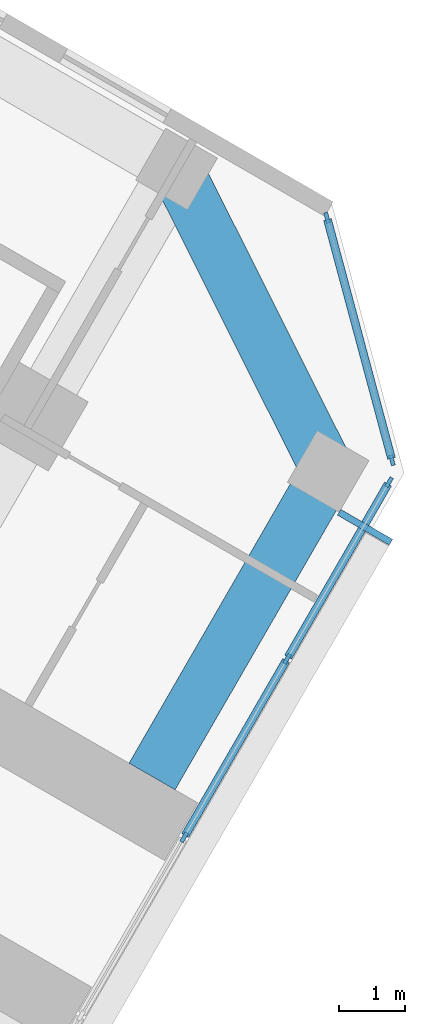
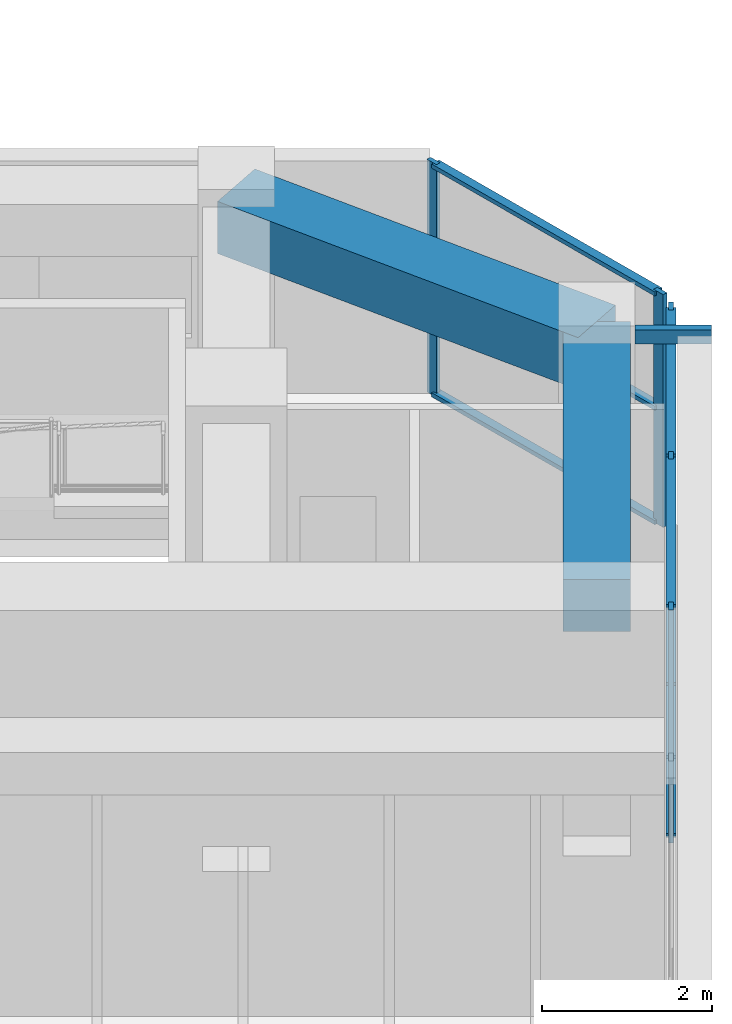
# One storey, part 8 of 21: 13 members, 2 beams, 2 elements without a shape of their own.
"""IFC4 building model written with IfcOpenShell, lengths in metres."""

from ifc_helpers import new_model, si_unit, direction, frame, origin, origin_2d, place, context, subcontext, project, spatial, rectangle, hollow_rectangle, extrude, material, material_profile, profile_set, type_object, element, aggregate, save


model = new_model("IFC4")

# Units and contexts
model_context = context("Model", 3, precision=1e-05, world=origin(), true_north=direction((0.0, 1.0)))
body_context = subcontext(model_context, "Body", "Model", "MODEL_VIEW")
ifc_project = project(units=[si_unit("LENGTHUNIT", "METRE"), si_unit("AREAUNIT", "SQUARE_METRE"), si_unit("VOLUMEUNIT", "CUBIC_METRE"), si_unit("PLANEANGLEUNIT", "RADIAN"), si_unit("MASSUNIT", "GRAM", prefix="KILO")], contexts=[model_context])

# Site, building, storey
site_placement = place(None, origin())
site = spatial("IfcSite", under=ifc_project, at=site_placement, CompositionType="ELEMENT")
building_placement = place(site_placement, origin())
building = spatial("IfcBuilding", under=site, at=building_placement, Name="Kosmar Iwan School Tower", CompositionType="ELEMENT")
storey_placement = place(building_placement, frame((0.0, 0.0, 106.0)))
storey = spatial("IfcBuildingStorey", under=building, at=storey_placement, Name="L26", CompositionType="ELEMENT", Elevation=106.0)

# Member
ifc_material_1 = material(Name="Steel S355", Category="steel")
ifc_material_profile_1 = material_profile(ifc_material_1, hollow_rectangle(XDim=0.10009765625, YDim=0.199951171875, WallThickness=0.008056640625, at=origin_2d()), Name="RHS 200x100x8")
ifc_profile_set_1 = profile_set([ifc_material_profile_1], Name="Steel S355")
member_type_1 = type_object("IfcMemberType", Name="Fin bracket RHS 200x100", PredefinedType="USERDEFINED", material=ifc_profile_set_1)
member_1_placement = place(storey_placement, frame((32.963134765625, -11.006103515625, 3.47509765625), z_axis=(0.866081705922, -0.499902469156, 0.0), x_axis=(0.499902469156, 0.866081705922, 0.0)))
element("IfcMember", 1, at=member_1_placement, inside=storey, type_object=member_type_1, Name="Fin bracket L27", ObjectType="FIN BRACKET", PredefinedType="USERDEFINED", context=body_context, shape_type="SweptSolid", body=[
    extrude(hollow_rectangle(XDim=0.10009765625, YDim=0.199951171875, WallThickness=0.008056640625, at=origin_2d()), origin(), (0.0, 0.0, 1.0), 0.900146484375),
])

# Curtain wall, members
ifc_material_2 = material(Name="Dark glass in black aluminium frame", Category="aluminium")
curtain_wall_type_1 = type_object("IfcCurtainWallType", Name="Tower curtain wall dark glass", PredefinedType="USERDEFINED", material=ifc_material_2)
curtain_wall_1_placement = place(storey_placement, origin())
curtain_wall_1 = element("IfcCurtainWall", 2, at=curtain_wall_1_placement, inside=storey, type_object=curtain_wall_type_1, Name="Curtain wall L26-F03", ObjectType="UNITISED CURTAIN WALL", PredefinedType="USERDEFINED")
ifc_material_3 = material(Name="Black anodised aluminium", Category="aluminium")
ifc_material_profile_2 = material_profile(ifc_material_3, rectangle(XDim=0.06005859375, YDim=0.159912109375, at=origin_2d()), Name="MULLION 60x160")
ifc_profile_set_2 = profile_set([ifc_material_profile_2], Name="Black anodised aluminium")
member_type_2 = type_object("IfcMemberType", Name="Mullion 60x160", PredefinedType="MULLION", material=ifc_profile_set_2)
member_2_placement = place(storey_placement, frame((30.631103515625, -15.8955078125, 0.0), z_axis=(0.0, 0.0, 1.0), x_axis=(-0.866025405329, 0.499999997325, 0.0)))
member_2 = element("IfcMember", 3, at=member_2_placement, type_object=member_type_2, Name="CW1 mullion 4", PredefinedType="MULLION", context=body_context, shape_type="SweptSolid", body=[
    extrude(rectangle(XDim=0.06005859375, YDim=0.159912109375, at=origin_2d()), origin(), (0.0, 0.0, 1.0), 3.35009765625),
])
member_3_placement = place(storey_placement, frame((32.1806640625, -13.21142578125, 0.0), z_axis=(0.0, 0.0, 1.0), x_axis=(-0.866025405329, 0.499999997325, 0.0)))
member_3 = element("IfcMember", 4, at=member_3_placement, type_object=member_type_2, Name="CW1 mullion 5", PredefinedType="MULLION", context=body_context, shape_type="SweptSolid", body=[
    extrude(rectangle(XDim=0.06005859375, YDim=0.159912109375, at=origin_2d()), origin(), (0.0, 0.0, 1.0), 3.35009765625),
])
member_4_placement = place(storey_placement, frame((33.71533203125, -10.55322265625, 0.0), z_axis=(0.0, 0.0, 1.0), x_axis=(-0.866025405329, 0.499999997325, 0.0)))
member_4 = element("IfcMember", 5, at=member_4_placement, type_object=member_type_2, Name="CW1 mullion 6", PredefinedType="MULLION", context=body_context, shape_type="SweptSolid", body=[
    extrude(rectangle(XDim=0.06005859375, YDim=0.159912109375, at=origin_2d()), origin(), (0.0, 0.0, 1.0), 3.35009765625),
])

ifc_material_4 = material(Name="Dark glass in black aluminium frame", Category="aluminium")
curtain_wall_type_2 = type_object("IfcCurtainWallType", Name="Chamfer curtain wall dark glass", PredefinedType="USERDEFINED", material=ifc_material_4)
curtain_wall_2_placement = place(storey_placement, origin())
curtain_wall_2 = element("IfcCurtainWall", 6, at=curtain_wall_2_placement, inside=storey, type_object=curtain_wall_type_2, Name="Curtain wall L26-F04", ObjectType="FACETED CURTAIN WALL", PredefinedType="USERDEFINED")
member_5_placement = place(storey_placement, frame((33.7587890625, -10.2236328125, 0.0), z_axis=(0.0, 0.0, 1.0), x_axis=(-0.965925875495, -0.258818861462, 0.0)))
member_5 = element("IfcMember", 7, at=member_5_placement, type_object=member_type_2, Name="CW2 mullion 1", PredefinedType="MULLION", context=body_context, shape_type="SweptSolid", body=[
    extrude(rectangle(XDim=0.06005859375, YDim=0.159912109375, at=origin_2d()), origin(), (0.0, 0.0, 1.0), 3.35009765625),
])
member_6_placement = place(storey_placement, frame((32.78076171875, -6.5732421875, 0.0), z_axis=(0.0, 0.0, 1.0), x_axis=(-0.965925875495, -0.258818861462, 0.0)))
member_6 = element("IfcMember", 8, at=member_6_placement, type_object=member_type_2, Name="CW2 mullion 2", PredefinedType="MULLION", context=body_context, shape_type="SweptSolid", body=[
    extrude(rectangle(XDim=0.06005859375, YDim=0.159912109375, at=origin_2d()), origin(), (0.0, 0.0, 1.0), 3.35009765625),
])

# Beams
ifc_material_5 = material(Name="Concrete C50/60", Category="concrete")
ifc_material_profile_3 = material_profile(ifc_material_5, rectangle(XDim=0.800048828125, YDim=0.75, at=origin_2d()), Name="RC 800x750")
ifc_profile_set_3 = profile_set([ifc_material_profile_3], Name="Concrete C50/60")
beam_type = type_object("IfcBeamType", Name="RC tip beam 800x750", PredefinedType="BEAM", material=ifc_profile_set_3)
beam_1_placement = place(storey_placement, frame((30.517822265625, -5.841552734375, 2.97509765625), z_axis=(0.44809604203, -0.893985423325, 0.0), x_axis=(0.893985423325, 0.44809604203, 0.0)))
element("IfcBeam", 9, at=beam_1_placement, inside=storey, type_object=beam_type, Name="Tip beam CL", PredefinedType="BEAM", context=body_context, shape_type="SweptSolid", body=[
    extrude(rectangle(XDim=0.800048828125, YDim=0.75, at=origin_2d()), origin(), (0.0, 0.0, 1.0), 5.08935546875),
])
beam_2_placement = place(storey_placement, frame((32.79833984375, -10.391357421875, 2.97509765625), z_axis=(-0.499973660256, -0.866040610509, 0.0), x_axis=(0.866040610509, -0.499973660256, 0.0)))
element("IfcBeam", 10, at=beam_2_placement, inside=storey, type_object=beam_type, Name="Tip beam CL to corridor wall", PredefinedType="BEAM", context=body_context, shape_type="SweptSolid", body=[
    extrude(rectangle(XDim=0.800048828125, YDim=0.75, at=origin_2d()), origin(), (0.0, 0.0, 1.0), 5.300048828125),
])

# Member
ifc_material_6 = material(Name="Black anodised aluminium", Category="aluminium")
ifc_material_profile_4 = material_profile(ifc_material_6, rectangle(XDim=0.1201171875, YDim=0.06005859375, at=origin_2d()), Name="TRANSOM 60x120")
ifc_profile_set_4 = profile_set([ifc_material_profile_4], Name="Black anodised aluminium")
member_type_3 = type_object("IfcMemberType", Name="Transom 60x120", PredefinedType="USERDEFINED", material=ifc_profile_set_4)
member_7_placement = place(storey_placement, frame((30.64599609375, -15.869384765625, 0.030029296875), z_axis=(0.500035348339, 0.866004994449, 0.0), x_axis=(-0.866004994449, 0.500035348339, 0.0)))
member_7 = element("IfcMember", 11, at=member_7_placement, type_object=member_type_3, Name="CW1 transom 4.1", ObjectType="TRANSOM", PredefinedType="USERDEFINED", context=body_context, shape_type="SweptSolid", body=[
    extrude(rectangle(XDim=0.1201171875, YDim=0.06005859375, at=origin_2d()), origin(), (0.0, 0.0, 1.0), 3.039306640625),
])

member_8_placement = place(storey_placement, frame((30.64599609375, -15.869384765625, 3.320068359375), z_axis=(0.500035348339, 0.866004994449, 0.0), x_axis=(-0.866004994449, 0.500035348339, 0.0)))
member_8 = element("IfcMember", 12, at=member_8_placement, type_object=member_type_3, Name="CW1 transom 4.2", ObjectType="TRANSOM", PredefinedType="USERDEFINED", context=body_context, shape_type="SweptSolid", body=[
    extrude(rectangle(XDim=0.1201171875, YDim=0.06005859375, at=origin_2d()), origin(), (0.0, 0.0, 1.0), 3.039306640625),
])

member_9_placement = place(storey_placement, frame((32.19580078125, -13.185302734375, 0.030029296875), z_axis=(0.500022102064, 0.866012642776, 0.0), x_axis=(-0.866012642776, 0.500022102064, 0.0)))
member_9 = element("IfcMember", 13, at=member_9_placement, type_object=member_type_3, Name="CW1 transom 5.1", ObjectType="TRANSOM", PredefinedType="USERDEFINED", context=body_context, shape_type="SweptSolid", body=[
    extrude(rectangle(XDim=0.1201171875, YDim=0.06005859375, at=origin_2d()), origin(), (0.0, 0.0, 1.0), 3.009033203125),
])

member_10_placement = place(storey_placement, frame((32.19580078125, -13.185302734375, 3.320068359375), z_axis=(0.500022102064, 0.866012642776, 0.0), x_axis=(-0.866012642776, 0.500022102064, 0.0)))
member_10 = element("IfcMember", 14, at=member_10_placement, type_object=member_type_3, Name="CW1 transom 5.2", ObjectType="TRANSOM", PredefinedType="USERDEFINED", context=body_context, shape_type="SweptSolid", body=[
    extrude(rectangle(XDim=0.1201171875, YDim=0.06005859375, at=origin_2d()), origin(), (0.0, 0.0, 1.0), 3.009033203125),
])

aggregate(curtain_wall_1, [member_2, member_3, member_4, member_7, member_8, member_9, member_10])

member_11_placement = place(storey_placement, frame((33.7509765625, -10.194580078125, 0.030029296875), z_axis=(-0.258843273983, 0.965919333854, 0.0), x_axis=(-0.965919333854, -0.258843273983, 0.0)))
member_11 = element("IfcMember", 15, at=member_11_placement, type_object=member_type_3, Name="CW2 transom 1.1", ObjectType="TRANSOM", PredefinedType="USERDEFINED", context=body_context, shape_type="SweptSolid", body=[
    extrude(rectangle(XDim=0.1201171875, YDim=0.06005859375, at=origin_2d()), origin(), (0.0, 0.0, 1.0), 3.718994140625),
])

member_12_placement = place(storey_placement, frame((33.7509765625, -10.194580078125, 1.675048828125), z_axis=(-0.258843273983, 0.965919333854, 0.0), x_axis=(-0.965919333854, -0.258843273983, 0.0)))
member_12 = element("IfcMember", 16, at=member_12_placement, type_object=member_type_3, Name="CW2 transom 1.2", ObjectType="TRANSOM", PredefinedType="USERDEFINED", context=body_context, shape_type="SweptSolid", body=[
    extrude(rectangle(XDim=0.1201171875, YDim=0.06005859375, at=origin_2d()), origin(), (0.0, 0.0, 1.0), 3.718994140625),
])

member_13_placement = place(storey_placement, frame((33.7509765625, -10.194580078125, 3.320068359375), z_axis=(-0.258843273983, 0.965919333854, 0.0), x_axis=(-0.965919333854, -0.258843273983, 0.0)))
member_13 = element("IfcMember", 17, at=member_13_placement, type_object=member_type_3, Name="CW2 transom 1.3", ObjectType="TRANSOM", PredefinedType="USERDEFINED", context=body_context, shape_type="SweptSolid", body=[
    extrude(rectangle(XDim=0.1201171875, YDim=0.06005859375, at=origin_2d()), origin(), (0.0, 0.0, 1.0), 3.718994140625),
])

aggregate(curtain_wall_2, [member_5, member_6, member_11, member_12, member_13])

save(model, "model.ifc")
